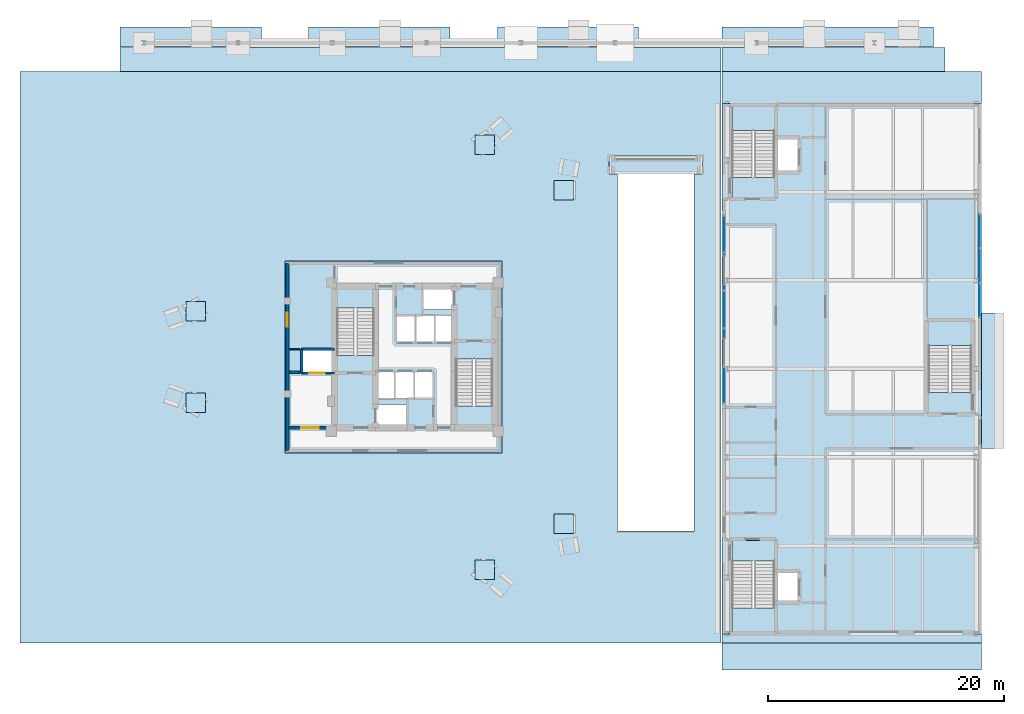
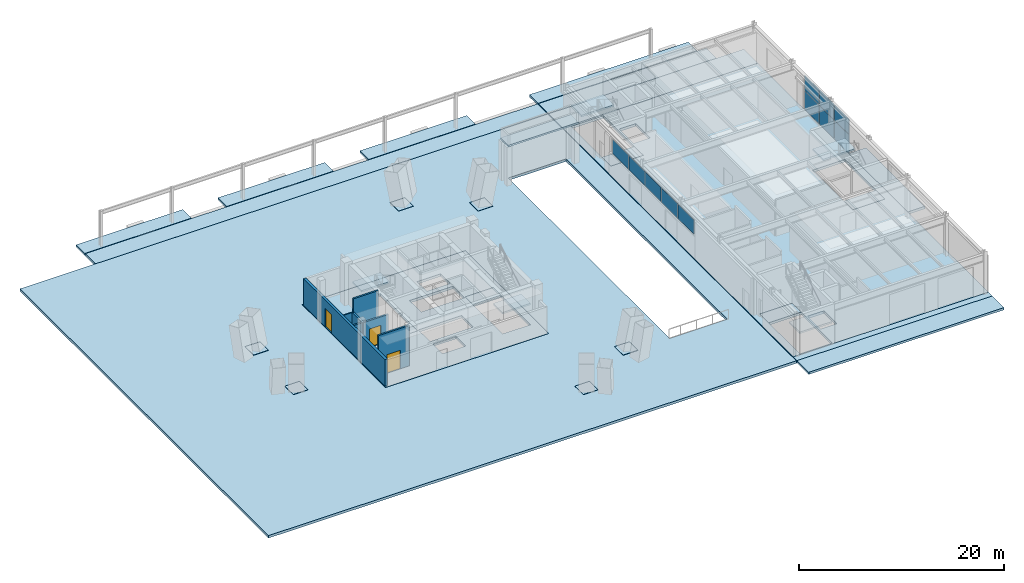
# One storey, part 12 of 21: 24 slabs, 17 plates, 7 walls, 3 doors, 3 openings, 7 elements without a shape of their own.
"""IFC4 building model written with IfcOpenShell, lengths in metres."""

from ifc_helpers import new_model, si_unit, direction, frame, frame_2d, origin, origin_2d, place, context, subcontext, project, spatial, polyline, rectangle, outline, extrude, material, layer, layer_set, type_object, element, fill, aggregate, save


model = new_model("IFC4")

# Units and contexts
model_context = context("Model", 3, precision=1e-05, world=origin(), true_north=direction((0.0, 1.0)))
body_context = subcontext(model_context, "Body", "Model", "MODEL_VIEW")
ifc_project = project(units=[si_unit("LENGTHUNIT", "METRE"), si_unit("AREAUNIT", "SQUARE_METRE"), si_unit("VOLUMEUNIT", "CUBIC_METRE"), si_unit("PLANEANGLEUNIT", "RADIAN"), si_unit("MASSUNIT", "GRAM", prefix="KILO")], contexts=[model_context])

# Site, building, storey
site_placement = place(None, origin())
site = spatial("IfcSite", under=ifc_project, at=site_placement, CompositionType="ELEMENT")
building_placement = place(site_placement, origin())
building = spatial("IfcBuilding", under=site, at=building_placement, Name="Mersakhor Tower and Convention Hall", CompositionType="ELEMENT")
storey_placement = place(building_placement, origin())
storey = spatial("IfcBuildingStorey", under=building, at=storey_placement, Name="L00", CompositionType="ELEMENT", Elevation=0.0)

# Curtain wall, plates
ifc_material_1 = material(Name="Dark solar low-E aluminium curtain wall", Category="aluminium")
ifc_layer_1 = layer(ifc_material_1, 0.219970703125)
ifc_layer_set_1 = layer_set([ifc_layer_1], Name="Dark solar low-E aluminium curtain wall")
curtain_wall_type = type_object("IfcCurtainWallType", Name="CW-SYS-07", PredefinedType="USERDEFINED", material=ifc_layer_set_1)
curtain_wall_1_placement = place(storey_placement, origin())
curtain_wall_1 = element("IfcCurtainWall", 1, at=curtain_wall_1_placement, inside=storey, type_object=curtain_wall_type, Name="Convention L00 West Curtain Wall", ObjectType="CURTAIN WALL", PredefinedType="USERDEFINED")
ifc_material_2 = material(Name="Dark solar double glazing", Category="glass")
ifc_layer_2 = layer(ifc_material_2, 0.0439453125)
ifc_layer_set_2 = layer_set([ifc_layer_2], Name="Dark solar double glazing")
plate_type_1 = type_object("IfcPlateType", Name="CWP-GLZ-44", PredefinedType="CURTAIN_PANEL", material=ifc_layer_set_2)
plate_1_placement = place(storey_placement, frame((55.22509765625, 24.419921875, 2.66015625), z_axis=(0.0, 0.0, 1.0), x_axis=(0.0, 1.0, 0.0)))
plate_1 = element("IfcPlate", 2, at=plate_1_placement, type_object=plate_type_1, Name="CW-07 panel 1.1", PredefinedType="CURTAIN_PANEL", context=body_context, shape_type="SweptSolid", body=[
    extrude(rectangle(XDim=3.080078125, YDim=0.0439453125, at=origin_2d()), origin(), (0.0, 0.0, 1.0), 1.679931640625),
])
plate_2_placement = place(storey_placement, frame((55.22509765625, 27.60009765625, 2.66015625), z_axis=(0.0, 0.0, 1.0), x_axis=(0.0, 1.0, 0.0)))
plate_2 = element("IfcPlate", 3, at=plate_2_placement, type_object=plate_type_1, Name="CW-07 panel 2.1", PredefinedType="CURTAIN_PANEL", context=body_context, shape_type="SweptSolid", body=[
    extrude(rectangle(XDim=3.1201171875, YDim=0.0439453125, at=origin_2d()), origin(), (0.0, 0.0, 1.0), 1.679931640625),
])
plate_3_placement = place(storey_placement, frame((55.22509765625, 30.800048828125, 2.66015625), z_axis=(0.0, 0.0, 1.0), x_axis=(0.0, 1.0, 0.0)))
plate_3 = element("IfcPlate", 4, at=plate_3_placement, type_object=plate_type_1, Name="CW-07 panel 3.1", PredefinedType="CURTAIN_PANEL", context=body_context, shape_type="SweptSolid", body=[
    extrude(rectangle(XDim=3.1201171875, YDim=0.0439453125, at=origin_2d()), origin(), (0.0, 0.0, 1.0), 1.679931640625),
])
plate_4_placement = place(storey_placement, frame((55.22509765625, 34.0, 2.66015625), z_axis=(0.0, 0.0, 1.0), x_axis=(0.0, 1.0, 0.0)))
plate_4 = element("IfcPlate", 5, at=plate_4_placement, type_object=plate_type_1, Name="CW-07 panel 4.1", PredefinedType="CURTAIN_PANEL", context=body_context, shape_type="SweptSolid", body=[
    extrude(rectangle(XDim=3.1201171875, YDim=0.0439453125, at=origin_2d()), origin(), (0.0, 0.0, 1.0), 1.679931640625),
])
plate_5_placement = place(storey_placement, frame((55.22509765625, 37.179931640625, 2.66015625), z_axis=(0.0, 0.0, 1.0), x_axis=(0.0, 1.0, 0.0)))
plate_5 = element("IfcPlate", 6, at=plate_5_placement, type_object=plate_type_1, Name="CW-07 panel 5.1", PredefinedType="CURTAIN_PANEL", context=body_context, shape_type="SweptSolid", body=[
    extrude(rectangle(XDim=3.080078125, YDim=0.0439453125, at=origin_2d()), origin(), (0.0, 0.0, 1.0), 1.679931640625),
])
aggregate(curtain_wall_1, [plate_1, plate_2, plate_3, plate_4, plate_5])

curtain_wall_2_placement = place(storey_placement, origin())
curtain_wall_2 = element("IfcCurtainWall", 7, at=curtain_wall_2_placement, inside=storey, type_object=curtain_wall_type, Name="Convention L00 East Curtain Wall", ObjectType="CURTAIN WALL", PredefinedType="USERDEFINED")
plate_6_placement = place(storey_placement, frame((76.925048828125, 37.413330078125, 0.260009765625), z_axis=(0.0, 0.0, 1.0), x_axis=(0.0, -1.0, 0.0)))
plate_6 = element("IfcPlate", 8, at=plate_6_placement, type_object=plate_type_1, Name="CW-07 panel 1.1", PredefinedType="CURTAIN_PANEL", context=body_context, shape_type="SweptSolid", body=[
    extrude(rectangle(XDim=2.813232421875, YDim=0.0439453125, at=origin_2d()), origin(), (0.0, 0.0, 1.0), 2.2099609375),
])
plate_7_placement = place(storey_placement, frame((76.925048828125, 37.413330078125, 2.530029296875), z_axis=(0.0, 0.0, 1.0), x_axis=(0.0, -1.0, 0.0)))
plate_7 = element("IfcPlate", 9, at=plate_7_placement, type_object=plate_type_1, Name="CW-07 panel 1.2", PredefinedType="CURTAIN_PANEL", context=body_context, shape_type="SweptSolid", body=[
    extrude(rectangle(XDim=2.813232421875, YDim=0.0439453125, at=origin_2d()), origin(), (0.0, 0.0, 1.0), 1.81005859375),
])
plate_8_placement = place(storey_placement, frame((76.925048828125, 34.5, 0.260009765625), z_axis=(0.0, 0.0, 1.0), x_axis=(0.0, -1.0, 0.0)))
plate_8 = element("IfcPlate", 10, at=plate_8_placement, type_object=plate_type_1, Name="CW-07 panel 2.1", PredefinedType="CURTAIN_PANEL", context=body_context, shape_type="SweptSolid", body=[
    extrude(rectangle(XDim=2.853271484375, YDim=0.0439453125, at=origin_2d()), origin(), (0.0, 0.0, 1.0), 2.2099609375),
])
plate_9_placement = place(storey_placement, frame((76.925048828125, 34.5, 2.530029296875), z_axis=(0.0, 0.0, 1.0), x_axis=(0.0, -1.0, 0.0)))
plate_9 = element("IfcPlate", 11, at=plate_9_placement, type_object=plate_type_1, Name="CW-07 panel 2.2", PredefinedType="CURTAIN_PANEL", context=body_context, shape_type="SweptSolid", body=[
    extrude(rectangle(XDim=2.853271484375, YDim=0.0439453125, at=origin_2d()), origin(), (0.0, 0.0, 1.0), 1.81005859375),
])
plate_10_placement = place(storey_placement, frame((76.925048828125, 31.586669921875, 0.260009765625), z_axis=(0.0, 0.0, 1.0), x_axis=(0.0, -1.0, 0.0)))
plate_10 = element("IfcPlate", 12, at=plate_10_placement, type_object=plate_type_1, Name="CW-07 panel 3.1", PredefinedType="CURTAIN_PANEL", context=body_context, shape_type="SweptSolid", body=[
    extrude(rectangle(XDim=2.813232421875, YDim=0.0439453125, at=origin_2d()), origin(), (0.0, 0.0, 1.0), 2.2099609375),
])
plate_11_placement = place(storey_placement, frame((76.925048828125, 31.586669921875, 2.530029296875), z_axis=(0.0, 0.0, 1.0), x_axis=(0.0, -1.0, 0.0)))
plate_11 = element("IfcPlate", 13, at=plate_11_placement, type_object=plate_type_1, Name="CW-07 panel 3.2", PredefinedType="CURTAIN_PANEL", context=body_context, shape_type="SweptSolid", body=[
    extrude(rectangle(XDim=2.813232421875, YDim=0.0439453125, at=origin_2d()), origin(), (0.0, 0.0, 1.0), 1.81005859375),
])
aggregate(curtain_wall_2, [plate_6, plate_7, plate_8, plate_9, plate_10, plate_11])

# Plates
ifc_material_3 = material(Name="Steel S355", Category="steel")
ifc_layer_3 = layer(ifc_material_3, 0.031982421875)
ifc_layer_set_3 = layer_set([ifc_layer_3], Name="Steel S355")
plate_type_2 = type_object("IfcPlateType", Name="PL-CAP-32", PredefinedType="SHEET", material=ifc_layer_set_3)
for number, where, z_axis, x_axis, name in (
    (14, (10.416748046875, 30.6279296875, 0.0), (0.0, 0.0, 1.0), (1.0, 0.0, 0.0), "Pedestal Top Cap Plate PCAP-PIL-F1-1"),
    (15, (34.933349609375, 44.78271484375, 0.0), (0.0, 0.0, 1.0), (1.0, 0.0, 0.0), "Pedestal Top Cap Plate PCAP-PIL-F1-2"),
    (16, (41.64990234375, 40.904541015625, 0.0), (0.0, 0.0, 1.0), (1.0, 0.0, 0.0), "Pedestal Top Cap Plate PCAP-PIL-F2-1"),
    (17, (41.64990234375, 12.595458984375, 0.0), (0.0, 0.0, 1.0), (1.0, 0.0, 0.0), "Pedestal Top Cap Plate PCAP-PIL-F2-2"),
    (18, (34.933349609375, 8.71728515625, 0.0), (0.0, 0.0, 1.0), (1.0, 0.0, 0.0), "Pedestal Top Cap Plate PCAP-PIL-F3-1"),
    (19, (10.416748046875, 22.8720703125, 0.0), (0.0, 0.0, 1.0), (1.0, 0.0, 0.0), "Pedestal Top Cap Plate PCAP-PIL-F3-2"),
):
    element("IfcPlate", number, at=place(storey_placement, frame(where, z_axis=z_axis, x_axis=x_axis)), inside=storey, type_object=plate_type_2, Name=name, PredefinedType="SHEET", context=body_context, shape_type="SweptSolid", body=[
        extrude(rectangle(XDim=1.659912109375, YDim=1.659912109375, at=origin_2d()), origin(), (0.0, 0.0, 1.0), 0.031982421875),
    ])

# Slabs
ifc_material_4 = material(Name="Concrete C45/55", Category="concrete")
ifc_layer_4 = layer(ifc_material_4, 0.300048828125)
ifc_layer_set_4 = layer_set([ifc_layer_4], Name="Concrete C45/55")
slab_type_1 = type_object("IfcSlabType", Name="SL-FLR-300", PredefinedType="FLOOR", material=ifc_layer_set_4)
slab_1_placement = place(storey_placement, frame((0.0, 0.0, -0.300048828125)))
element("IfcSlab", 20, at=slab_1_placement, inside=storey, type_object=slab_type_1, Name="L00 ST-1 Structural Stair Floor Landing", PredefinedType="LANDING", context=body_context, shape_type="SweptSolid", body=[
    extrude(outline(polyline([(25.550048828125, 25.39990234375), (25.550048828125, 26.89990234375), (22.39990234375, 26.89990234375), (22.39990234375, 25.39990234375), (25.550048828125, 25.39990234375)])), origin(), (0.0, 0.0, 1.0), 0.300048828125),
])
slab_2_placement = place(storey_placement, frame((0.0, 0.0, -0.300048828125)))
element("IfcSlab", 21, at=slab_2_placement, inside=storey, type_object=slab_type_1, Name="L00 ST-2 Structural Stair Floor Landing", PredefinedType="LANDING", context=body_context, shape_type="SweptSolid", body=[
    extrude(outline(polyline([(32.449951171875, 28.10009765625), (32.449951171875, 26.60009765625), (35.60009765625, 26.60009765625), (35.60009765625, 28.10009765625), (32.449951171875, 28.10009765625)])), origin(), (0.0, 0.0, 1.0), 0.300048828125),
])
slab_3_placement = place(storey_placement, frame((0.0, 0.0, -0.300048828125)))
element("IfcSlab", 22, at=slab_3_placement, inside=storey, type_object=slab_type_1, Name="Ground Level Tower Core and Lobby Structural Slab", PredefinedType="FLOOR", context=body_context, shape_type="SweptSolid", body=[
    extrude(outline(polyline([(18.0, 18.60009765625), (18.0, 34.89990234375), (36.39990234375, 34.89990234375), (36.39990234375, 18.60009765625), (18.0, 18.60009765625)]), holes=[polyline([(25.550048828125, 25.39990234375), (25.550048828125, 32.699951171875), (22.39990234375, 32.699951171875), (22.39990234375, 25.39990234375), (25.550048828125, 25.39990234375)]), polyline([(32.449951171875, 28.10009765625), (32.449951171875, 20.800048828125), (35.60009765625, 20.800048828125), (35.60009765625, 28.10009765625), (32.449951171875, 28.10009765625)]), polyline([(25.679931640625, 20.820068359375), (25.679931640625, 22.719970703125), (28.320068359375, 22.719970703125), (28.320068359375, 20.820068359375), (25.679931640625, 20.820068359375)]), polyline([(29.679931640625, 30.780029296875), (29.679931640625, 32.679931640625), (32.320068359375, 32.679931640625), (32.320068359375, 30.780029296875), (29.679931640625, 30.780029296875)]), polyline([(25.679931640625, 23.25), (25.679931640625, 25.5), (30.570068359375, 25.5), (30.570068359375, 23.25), (25.679931640625, 23.25)]), polyline([(27.429931640625, 28.0), (27.429931640625, 30.25), (32.320068359375, 30.25), (32.320068359375, 28.0), (27.429931640625, 28.0)]), polyline([(19.449951171875, 25.449951171875), (19.449951171875, 27.35009765625), (22.050048828125, 27.35009765625), (22.050048828125, 25.449951171875), (19.449951171875, 25.449951171875)])]), origin(), (0.0, 0.0, 1.0), 0.300048828125),
])
slab_4_placement = place(storey_placement, frame((0.0, 0.0, -0.300048828125)))
element("IfcSlab", 23, at=slab_4_placement, inside=storey, type_object=slab_type_1, Name="Public Neighbourhood Plaza and Oasis Garden Deck", PredefinedType="FLOOR", context=body_context, shape_type="SweptSolid", body=[
    extrude(outline(polyline([(-4.5, 2.5), (-4.5, 51.0), (55.0, 51.0), (55.0, 2.5), (-4.5, 2.5)]), holes=[polyline([(18.0, 18.60009765625), (18.0, 34.89990234375), (36.39990234375, 34.89990234375), (36.39990234375, 18.60009765625), (18.0, 18.60009765625)]), polyline([(46.199951171875, 12.0), (46.199951171875, 43.5), (52.699951171875, 43.5), (52.699951171875, 12.0), (46.199951171875, 12.0)])]), origin(), (0.0, 0.0, 1.0), 0.300048828125),
])
slab_5_placement = place(storey_placement, frame((0.0, 0.0, -0.300048828125)))
element("IfcSlab", 24, at=slab_5_placement, inside=storey, type_object=slab_type_1, Name="Convention Hall North Grade Structural Apron Slab", PredefinedType="FLOOR", context=body_context, shape_type="SweptSolid", body=[
    extrude(outline(polyline([(55.074951171875, 48.25), (55.074951171875, 51.0), (77.074951171875, 51.0), (77.074951171875, 48.25), (55.074951171875, 48.25)])), origin(), (0.0, 0.0, 1.0), 0.300048828125),
])
slab_6_placement = place(storey_placement, frame((0.0, 0.0, -0.300048828125)))
element("IfcSlab", 25, at=slab_6_placement, inside=storey, type_object=slab_type_1, Name="Convention Hall South Grade Structural Apron Slab", PredefinedType="FLOOR", context=body_context, shape_type="SweptSolid", body=[
    extrude(outline(polyline([(55.074951171875, 2.5), (55.074951171875, 3.25), (77.074951171875, 3.25), (77.074951171875, 2.5), (55.074951171875, 2.5)])), origin(), (0.0, 0.0, 1.0), 0.300048828125),
])
slab_7_placement = place(storey_placement, frame((0.0, 0.0, -0.300048828125)))
element("IfcSlab", 26, at=slab_7_placement, inside=storey, type_object=slab_type_1, Name="Convention Hall East Stair Exit Structural Apron Slab", PredefinedType="FLOOR", context=body_context, shape_type="SweptSolid", body=[
    extrude(outline(polyline([(77.074951171875, 19.0), (77.074951171875, 30.5), (79.0, 30.5), (79.0, 19.0), (77.074951171875, 19.0)])), origin(), (0.0, 0.0, 1.0), 0.300048828125),
])
slab_8_placement = place(storey_placement, frame((0.0, 0.0, -0.300048828125)))
element("IfcSlab", 27, at=slab_8_placement, inside=storey, type_object=slab_type_1, Name="L00 CH-ST1 Structural Stair Floor Landing", PredefinedType="LANDING", context=body_context, shape_type="SweptSolid", body=[
    extrude(outline(polyline([(55.89990234375, 11.199951171875), (55.89990234375, 9.449951171875), (59.550048828125, 9.449951171875), (59.550048828125, 11.199951171875), (55.89990234375, 11.199951171875)])), origin(), (0.0, 0.0, 1.0), 0.300048828125),
])
slab_9_placement = place(storey_placement, frame((0.0, 0.0, -0.300048828125)))
element("IfcSlab", 28, at=slab_9_placement, inside=storey, type_object=slab_type_1, Name="L00 CH-ST2 Structural Stair Floor Landing", PredefinedType="LANDING", context=body_context, shape_type="SweptSolid", body=[
    extrude(outline(polyline([(59.550048828125, 40.25), (59.550048828125, 42.0), (55.89990234375, 42.0), (55.89990234375, 40.25), (59.550048828125, 40.25)])), origin(), (0.0, 0.0, 1.0), 0.300048828125),
])
slab_10_placement = place(storey_placement, frame((0.0, 0.0, -0.300048828125)))
element("IfcSlab", 29, at=slab_10_placement, inside=storey, type_object=slab_type_1, Name="L00 CH-ST3 Structural Stair Floor Landing", PredefinedType="LANDING", context=body_context, shape_type="SweptSolid", body=[
    extrude(outline(polyline([(76.25, 22.0), (76.25, 23.75), (72.60009765625, 23.75), (72.60009765625, 22.0), (76.25, 22.0)])), origin(), (0.0, 0.0, 1.0), 0.300048828125),
])
slab_11_placement = place(storey_placement, frame((0.0, 0.0, -0.300048828125)))
element("IfcSlab", 30, at=slab_11_placement, inside=storey, type_object=slab_type_1, Name="Convention Hall L00 Composite Floor Slab", PredefinedType="FLOOR", context=body_context, shape_type="SweptSolid", body=[
    extrude(outline(polyline([(55.074951171875, 3.25), (55.074951171875, 48.25), (77.074951171875, 48.25), (77.074951171875, 3.25), (55.074951171875, 3.25)]), holes=[polyline([(55.89990234375, 11.199951171875), (55.89990234375, 3.39990234375), (59.550048828125, 3.39990234375), (59.550048828125, 11.199951171875), (55.89990234375, 11.199951171875)]), polyline([(59.550048828125, 40.25), (59.550048828125, 48.050048828125), (55.89990234375, 48.050048828125), (55.89990234375, 40.25), (59.550048828125, 40.25)]), polyline([(76.25, 22.0), (76.25, 29.800048828125), (72.60009765625, 29.800048828125), (72.60009765625, 22.0), (76.25, 22.0)]), polyline([(59.75, 6.0), (59.75, 8.5), (61.60009765625, 8.5), (61.60009765625, 6.0), (59.75, 6.0)]), polyline([(59.75, 42.5), (59.75, 45.300048828125), (61.60009765625, 45.300048828125), (61.60009765625, 42.5), (59.75, 42.5)])]), origin(), (0.0, 0.0, 1.0), 0.300048828125),
])

# Stair, slab
ifc_material_5 = material(Name="Concrete C45/55", Category="concrete")
stair_type_1 = type_object("IfcStairType", Name="ST-TWR-30R", PredefinedType="HALF_TURN_STAIR", material=ifc_material_5)
stair_1_placement = place(storey_placement, origin())
stair_1 = element("IfcStair", 31, at=stair_1_placement, inside=storey, type_object=stair_type_1, Name="L00 Tower Protected Exit Stair ST-1", PredefinedType="HALF_TURN_STAIR")
ifc_material_6 = material(Name="Concrete C45/55", Category="concrete")
ifc_layer_5 = layer(ifc_material_6, 0.199951171875)
ifc_layer_set_5 = layer_set([ifc_layer_5], Name="Concrete C45/55")
slab_type_2 = type_object("IfcSlabType", Name="SL-LAND-200", PredefinedType="LANDING", material=ifc_layer_set_5)
slab_12_placement = place(storey_placement, frame((0.0, 0.0, 2.35009765625)))
slab_12 = element("IfcSlab", 32, at=slab_12_placement, type_object=slab_type_2, Name="ST-1 landing 1", PredefinedType="LANDING", context=body_context, shape_type="SweptSolid", body=[
    extrude(outline(polyline([(25.550048828125, 30.889892578125), (25.550048828125, 32.699951171875), (22.39990234375, 32.699951171875), (22.39990234375, 30.889892578125), (25.550048828125, 30.889892578125)])), origin(), (0.0, 0.0, 1.0), 0.199951171875),
])
aggregate(stair_1, [slab_12])

stair_2_placement = place(storey_placement, origin())
stair_2 = element("IfcStair", 33, at=stair_2_placement, inside=storey, type_object=stair_type_1, Name="L00 Tower Protected Exit Stair ST-2", PredefinedType="HALF_TURN_STAIR")
slab_13_placement = place(storey_placement, frame((0.0, 0.0, 2.35009765625)))
slab_13 = element("IfcSlab", 34, at=slab_13_placement, type_object=slab_type_2, Name="ST-2 landing 1", PredefinedType="LANDING", context=body_context, shape_type="SweptSolid", body=[
    extrude(outline(polyline([(32.449951171875, 22.610107421875), (32.449951171875, 20.800048828125), (35.60009765625, 20.800048828125), (35.60009765625, 22.610107421875), (32.449951171875, 22.610107421875)])), origin(), (0.0, 0.0, 1.0), 0.199951171875),
])
aggregate(stair_2, [slab_13])

ifc_material_7 = material(Name="Concrete C45/55", Category="concrete")
stair_type_2 = type_object("IfcStairType", Name="ST-CNV-30R", PredefinedType="HALF_TURN_STAIR", material=ifc_material_7)
stair_3_placement = place(storey_placement, origin())
stair_3 = element("IfcStair", 35, at=stair_3_placement, inside=storey, type_object=stair_type_2, Name="L00 Convention Hall Exit Stair CH-ST1", PredefinedType="HALF_TURN_STAIR")
slab_14_placement = place(storey_placement, frame((0.0, 0.0, 2.35009765625)))
slab_14 = element("IfcSlab", 36, at=slab_14_placement, type_object=slab_type_2, Name="CH-ST1 landing 1", PredefinedType="LANDING", context=body_context, shape_type="SweptSolid", body=[
    extrude(outline(polyline([(55.89990234375, 5.4599609375), (55.89990234375, 3.39990234375), (59.550048828125, 3.39990234375), (59.550048828125, 5.4599609375), (55.89990234375, 5.4599609375)])), origin(), (0.0, 0.0, 1.0), 0.199951171875),
])
aggregate(stair_3, [slab_14])

stair_4_placement = place(storey_placement, origin())
stair_4 = element("IfcStair", 37, at=stair_4_placement, inside=storey, type_object=stair_type_2, Name="L00 Convention Hall Exit Stair CH-ST2", PredefinedType="HALF_TURN_STAIR")
slab_15_placement = place(storey_placement, frame((0.0, 0.0, 2.35009765625)))
slab_15 = element("IfcSlab", 38, at=slab_15_placement, type_object=slab_type_2, Name="CH-ST2 landing 1", PredefinedType="LANDING", context=body_context, shape_type="SweptSolid", body=[
    extrude(outline(polyline([(59.550048828125, 45.989990234375), (59.550048828125, 48.050048828125), (55.89990234375, 48.050048828125), (55.89990234375, 45.989990234375), (59.550048828125, 45.989990234375)])), origin(), (0.0, 0.0, 1.0), 0.199951171875),
])
aggregate(stair_4, [slab_15])

stair_5_placement = place(storey_placement, origin())
stair_5 = element("IfcStair", 39, at=stair_5_placement, inside=storey, type_object=stair_type_2, Name="L00 Convention Hall Exit Stair CH-ST3", PredefinedType="HALF_TURN_STAIR")
slab_16_placement = place(storey_placement, frame((0.0, 0.0, 2.35009765625)))
slab_16 = element("IfcSlab", 40, at=slab_16_placement, type_object=slab_type_2, Name="CH-ST3 landing 1", PredefinedType="LANDING", context=body_context, shape_type="SweptSolid", body=[
    extrude(outline(polyline([(76.25, 27.739990234375), (76.25, 29.800048828125), (72.60009765625, 29.800048828125), (72.60009765625, 27.739990234375), (76.25, 27.739990234375)])), origin(), (0.0, 0.0, 1.0), 0.199951171875),
])
aggregate(stair_5, [slab_16])

# Slabs
ifc_material_8 = material(Name="Precast concrete C40/50", Category="concrete")
ifc_layer_6 = layer(ifc_material_8, 0.260009765625)
ifc_layer_set_6 = layer_set([ifc_layer_6], Name="Precast concrete C40/50")
slab_type_3 = type_object("IfcSlabType", Name="SL-PAV-260", PredefinedType="USERDEFINED", material=ifc_layer_set_6)
slab_17_placement = place(storey_placement, frame((0.0, 0.0, -0.260009765625)))
element("IfcSlab", 41, at=slab_17_placement, inside=storey, type_object=slab_type_3, Name="Public Plaza and Oasis Garden Slab PV-FORECOURT-W", ObjectType="PAVING", PredefinedType="USERDEFINED", context=body_context, shape_type="SweptSolid", body=[
    extrude(outline(polyline([(4.0, 51.0), (4.0, 53.0), (55.0, 53.0), (55.0, 51.0), (4.0, 51.0)])), origin(), (0.0, 0.0, 1.0), 0.260009765625),
])
slab_18_placement = place(storey_placement, frame((0.0, 0.0, -0.260009765625)))
element("IfcSlab", 42, at=slab_18_placement, inside=storey, type_object=slab_type_3, Name="Public Plaza and Oasis Garden Slab PV-FORECOURT-E", ObjectType="PAVING", PredefinedType="USERDEFINED", context=body_context, shape_type="SweptSolid", body=[
    extrude(outline(polyline([(55.074951171875, 51.0), (55.074951171875, 53.0), (74.0, 53.0), (74.0, 51.0), (55.074951171875, 51.0)])), origin(), (0.0, 0.0, 1.0), 0.260009765625),
])
slab_19_placement = place(storey_placement, frame((0.0, 0.0, -0.260009765625)))
element("IfcSlab", 43, at=slab_19_placement, inside=storey, type_object=slab_type_3, Name="Public Plaza and Oasis Garden Slab PV-CNV-LOAD", ObjectType="PAVING", PredefinedType="USERDEFINED", context=body_context, shape_type="SweptSolid", body=[
    extrude(outline(polyline([(55.074951171875, 0.199951171875), (55.074951171875, 2.5), (77.074951171875, 2.5), (77.074951171875, 0.199951171875), (55.074951171875, 0.199951171875)])), origin(), (0.0, 0.0, 1.0), 0.260009765625),
])
slab_20_placement = place(storey_placement, frame((0.0, 0.0, -0.260009765625)))
element("IfcSlab", 44, at=slab_20_placement, inside=storey, type_object=slab_type_3, Name="Public Plaza and Oasis Garden Slab PV-PROM-N1", ObjectType="PAVING", PredefinedType="USERDEFINED", context=body_context, shape_type="SweptSolid", body=[
    extrude(outline(polyline([(4.0, 53.050048828125), (4.0, 54.75), (16.0, 54.75), (16.0, 53.050048828125), (4.0, 53.050048828125)])), origin(), (0.0, 0.0, 1.0), 0.260009765625),
])
slab_21_placement = place(storey_placement, frame((0.0, 0.0, -0.260009765625)))
element("IfcSlab", 45, at=slab_21_placement, inside=storey, type_object=slab_type_3, Name="Public Plaza and Oasis Garden Slab PV-PROM-N2", ObjectType="PAVING", PredefinedType="USERDEFINED", context=body_context, shape_type="SweptSolid", body=[
    extrude(outline(polyline([(20.0, 53.050048828125), (20.0, 54.75), (32.0, 54.75), (32.0, 53.050048828125), (20.0, 53.050048828125)])), origin(), (0.0, 0.0, 1.0), 0.260009765625),
])
slab_22_placement = place(storey_placement, frame((0.0, 0.0, -0.260009765625)))
element("IfcSlab", 46, at=slab_22_placement, inside=storey, type_object=slab_type_3, Name="Public Plaza and Oasis Garden Slab PV-PROM-N3", ObjectType="PAVING", PredefinedType="USERDEFINED", context=body_context, shape_type="SweptSolid", body=[
    extrude(outline(polyline([(36.0, 53.050048828125), (36.0, 54.75), (48.0, 54.75), (48.0, 53.050048828125), (36.0, 53.050048828125)])), origin(), (0.0, 0.0, 1.0), 0.260009765625),
])
slab_23_placement = place(storey_placement, frame((0.0, 0.0, -0.260009765625)))
element("IfcSlab", 47, at=slab_23_placement, inside=storey, type_object=slab_type_3, Name="Public Plaza and Oasis Garden Slab PV-PROM-N4", ObjectType="PAVING", PredefinedType="USERDEFINED", context=body_context, shape_type="SweptSolid", body=[
    extrude(outline(polyline([(55.074951171875, 53.050048828125), (55.074951171875, 54.75), (73.0, 54.75), (73.0, 53.050048828125), (55.074951171875, 53.050048828125)])), origin(), (0.0, 0.0, 1.0), 0.260009765625),
])
ifc_material_9 = material(Name="Concrete C45/55", Category="concrete")
ifc_layer_7 = layer(ifc_material_9, 0.2099609375)
ifc_layer_set_7 = layer_set([ifc_layer_7], Name="Concrete C45/55")
slab_type_4 = type_object("IfcSlabType", Name="SL-ROOF-210", PredefinedType="ROOF", material=ifc_layer_set_7)
slab_24_placement = place(storey_placement, frame((0.0, 0.0, 4.64990234375)))
element("IfcSlab", 48, at=slab_24_placement, inside=storey, type_object=slab_type_4, Name="Vehicle Ramp Portal Canopy Slab", PredefinedType="ROOF", context=body_context, shape_type="SweptSolid", body=[
    extrude(outline(polyline([(45.5, 42.300048828125), (45.5, 43.800048828125), (53.39990234375, 43.800048828125), (53.39990234375, 42.300048828125), (45.5, 42.300048828125)])), origin(), (0.0, 0.0, 1.0), 0.210205078125),
])

# Wall, opening, door
ifc_material_10 = material(Name="Precast concrete C45/55", Category="concrete")
ifc_layer_8 = layer(ifc_material_10, 0.27490234375)
ifc_layer_set_8 = layer_set([ifc_layer_8], Name="Precast concrete C45/55")
wall_type_1 = type_object("IfcWallType", Name="WL-EXT-275", PredefinedType="SOLIDWALL", material=ifc_layer_set_8)
wall_1_placement = place(storey_placement, frame((18.199951171875, 18.800048828125, 0.0), z_axis=(0.0, 0.0, 1.0), x_axis=(0.0, 1.0, 0.0)))
wall_1 = element("IfcWall", 49, at=wall_1_placement, inside=storey, type_object=wall_type_1, Name="Tower Ground Lobby Exterior Wall W", PredefinedType="SOLIDWALL", context=body_context, shape_type="SweptSolid", body=[
    extrude(rectangle(XDim=15.89990234375, YDim=0.27490234375, at=frame_2d((7.949951171875, 0.0))), origin(), (0.0, 0.0, 1.0), 3.18505859375),
])
opening_1_placement = place(wall_1_placement, frame((10.5, 0.0, 0.0)))
opening_1 = element("IfcOpeningElement", 50, at=opening_1_placement, cuts=wall_1, Name="Opening EX-01", PredefinedType="OPENING", context=body_context, shape_type="SweptSolid", body=[
    extrude(rectangle(XDim=1.199951171875, YDim=2.199951171875, at=frame_2d((0.60009765625, 1.10009765625))), frame((0.0, 0.1474609375, 0.0), z_axis=(0.0, -1.0, 0.0), x_axis=(1.0, 0.0, 0.0)), (0.0, 0.0, 1.0), 0.294921875),
])
ifc_material_11 = material(Name="Thermally broken dark aluminium and safety glass", Category="aluminium")
door_type_1 = type_object("IfcDoorType", Name="DR-EXT-EXIT-120x220", OperationType="NOTDEFINED", PredefinedType="DOOR", material=ifc_material_11)
door_1_placement = place(opening_1_placement, origin())
door_1 = element("IfcDoor", 51, at=door_1_placement, inside=storey, type_object=door_type_1, Name="Fire Command Room Direct Exterior Access Door", OperationType="SINGLE_SWING_RIGHT", OverallHeight=2.199951171875, OverallWidth=1.199951171875, PredefinedType="DOOR", context=body_context, shape_type="SweptSolid", body=[
    extrude(rectangle(XDim=1.199951171875, YDim=2.199951171875, at=frame_2d((0.60009765625, 1.10009765625))), frame((0.0, 0.02490234375, 0.0), z_axis=(0.0, -1.0, 0.0), x_axis=(1.0, 0.0, 0.0)), (0.0, 0.0, 1.0), 0.050048828125),
])
fill(opening_1, door_1)

# Walls
ifc_material_12 = material(Name="Lightweight gypsum partition", Category="other")
ifc_layer_9 = layer(ifc_material_12, 0.10009765625)
ifc_layer_set_9 = layer_set([ifc_layer_9], Name="Lightweight gypsum partition")
wall_type_2 = type_object("IfcWallType", Name="WL-PRT-100", PredefinedType="PARTITIONING", material=ifc_layer_set_9)
wall_2_placement = place(storey_placement, frame((19.25, 27.39990234375, 0.0), z_axis=(0.0, 0.0, 1.0), x_axis=(-1.0, 0.0, 0.0)))
element("IfcWall", 52, at=wall_2_placement, inside=storey, type_object=wall_type_2, Name="L00 Interior Partition Wall P-050", PredefinedType="PARTITIONING", context=body_context, shape_type="SweptSolid", body=[
    extrude(rectangle(XDim=0.888427734375, YDim=0.10009765625, at=frame_2d((0.4443359375, 0.0))), origin(), (0.0, 0.0, 1.0), 3.18505859375),
])
ifc_material_13 = material(Name="Acoustic concrete blockwork and gypsum board", Category="masonry")
ifc_layer_10 = layer(ifc_material_13, 0.199951171875)
ifc_layer_set_10 = layer_set([ifc_layer_10], Name="Acoustic concrete blockwork and gypsum board")
wall_type_3 = type_object("IfcWallType", Name="WL-PRT-200", PredefinedType="PARTITIONING", material=ifc_layer_set_10)
wall_3_placement = place(storey_placement, frame((19.39990234375, 25.39990234375, 0.0), z_axis=(0.0, 0.0, 1.0), x_axis=(0.0, 1.0, 0.0)))
element("IfcWall", 53, at=wall_3_placement, inside=storey, type_object=wall_type_3, Name="L00 Clinic Lift West Wall", PredefinedType="PARTITIONING", context=body_context, shape_type="SweptSolid", body=[
    extrude(rectangle(XDim=2.0, YDim=0.199951171875, at=frame_2d((1.0, 0.0))), origin(), (0.0, 0.0, 1.0), 3.18505859375),
])
wall_4_placement = place(storey_placement, frame((19.39990234375, 27.39990234375, 0.0), z_axis=(0.0, 0.0, 1.0), x_axis=(1.0, 0.0, 0.0)))
element("IfcWall", 54, at=wall_4_placement, inside=storey, type_object=wall_type_3, Name="L00 Clinic Lift North Wall", PredefinedType="PARTITIONING", context=body_context, shape_type="SweptSolid", body=[
    extrude(rectangle(XDim=2.800048828125, YDim=0.199951171875, at=frame_2d((1.39990234375, 0.0))), origin(), (0.0, 0.0, 1.0), 4.800048828125),
])

# Wall, opening, door
wall_5_placement = place(storey_placement, frame((22.199951171875, 25.39990234375, 0.0), z_axis=(0.0, 0.0, 1.0), x_axis=(-1.0, 0.0, 0.0)))
wall_5 = element("IfcWall", 55, at=wall_5_placement, inside=storey, type_object=wall_type_3, Name="L00 Clinic Lift Front Wall", PredefinedType="PARTITIONING", context=body_context, shape_type="SweptSolid", body=[
    extrude(rectangle(XDim=2.800048828125, YDim=0.199951171875, at=frame_2d((1.39990234375, 0.0))), origin(), (0.0, 0.0, 1.0), 3.18505859375),
])
opening_2_placement = place(wall_5_placement, frame((0.85009765625, 0.0, 0.0)))
opening_2 = element("IfcOpeningElement", 56, at=opening_2_placement, cuts=wall_5, Name="Opening LD-CL1", PredefinedType="OPENING", context=body_context, shape_type="SweptSolid", body=[
    extrude(rectangle(XDim=1.300048828125, YDim=2.199951171875, at=frame_2d((0.64990234375, 1.10009765625))), frame((0.0, 0.10986328125, 0.0), z_axis=(0.0, -1.0, 0.0), x_axis=(1.0, 0.0, 0.0)), (0.0, 0.0, 1.0), 0.219970703125),
])
ifc_material_14 = material(Name="Fire-rated brushed stainless steel sliding landing door", Category="steel")
door_type_2 = type_object("IfcDoorType", Name="DR-LIFT-SLD-130x220", OperationType="NOTDEFINED", PredefinedType="DOOR", material=ifc_material_14)
door_2_placement = place(opening_2_placement, origin())
door_2 = element("IfcDoor", 57, at=door_2_placement, inside=storey, type_object=door_type_2, Name="L00 Clinic Stretcher Lift Landing Door LD-CL1", OperationType="SLIDING_TO_LEFT", OverallHeight=2.199951171875, OverallWidth=1.300048828125, PredefinedType="DOOR", context=body_context, shape_type="SweptSolid", body=[
    extrude(rectangle(XDim=1.300048828125, YDim=2.199951171875, at=frame_2d((0.64990234375, 1.10009765625))), frame((0.0, 0.02490234375, 0.0), z_axis=(0.0, -1.0, 0.0), x_axis=(1.0, 0.0, 0.0)), (0.0, 0.0, 1.0), 0.050048828125),
])
fill(opening_2, door_2)

# Wall
wall_6_placement = place(storey_placement, frame((18.361572265625, 25.449951171875, 0.0), z_axis=(0.0, 0.0, 1.0), x_axis=(1.0, 0.0, 0.0)))
element("IfcWall", 58, at=wall_6_placement, inside=storey, type_object=wall_type_3, Name="L00 Interior Partition Wall P-039", PredefinedType="PARTITIONING", context=body_context, shape_type="SweptSolid", body=[
    extrude(rectangle(XDim=0.888427734375, YDim=0.199951171875, at=frame_2d((0.4443359375, 0.0))), origin(), (0.0, 0.0, 1.0), 3.18505859375),
])

# Wall, opening, door
wall_7_placement = place(storey_placement, frame((21.875, 20.75, 0.0), z_axis=(0.0, 0.0, 1.0), x_axis=(-1.0, 0.0, 0.0)))
wall_7 = element("IfcWall", 59, at=wall_7_placement, inside=storey, type_object=wall_type_3, Name="L00 Interior Partition Wall P-040", PredefinedType="PARTITIONING", context=body_context, shape_type="SweptSolid", body=[
    extrude(rectangle(XDim=3.513427734375, YDim=0.199951171875, at=frame_2d((1.7568359375, 0.0))), origin(), (0.0, 0.0, 1.0), 4.800048828125),
])
opening_3_placement = place(wall_7_placement, frame((1.0068359375, 0.0, 0.0)))
opening_3 = element("IfcOpeningElement", 60, at=opening_3_placement, cuts=wall_7, Name="Opening LD-LOB", PredefinedType="OPENING", context=body_context, shape_type="SweptSolid", body=[
    extrude(rectangle(XDim=1.5, YDim=2.199951171875, at=frame_2d((0.75, 1.10009765625))), frame((0.0, 0.10986328125, 0.0), z_axis=(0.0, -1.0, 0.0), x_axis=(1.0, 0.0, 0.0)), (0.0, 0.0, 1.0), 0.219970703125),
])
ifc_material_15 = material(Name="Fire-rated hardwood leaf and painted steel frame", Category="steel")
door_type_3 = type_object("IfcDoorType", Name="DR-INT-LOB-150x220", OperationType="NOTDEFINED", PredefinedType="DOOR", material=ifc_material_15)
door_3_placement = place(opening_3_placement, origin())
door_3 = element("IfcDoor", 61, at=door_3_placement, inside=storey, type_object=door_type_3, Name="L00 Clinic Lift Lobby and Resident Concierge to Tower Ground Entrance Lobby Door", OperationType="DOUBLE_DOOR_SINGLE_SWING", OverallHeight=2.199951171875, OverallWidth=1.5, PredefinedType="DOOR", context=body_context, shape_type="SweptSolid", body=[
    extrude(rectangle(XDim=1.5, YDim=2.199951171875, at=frame_2d((0.75, 1.10009765625))), frame((0.0, 0.02490234375, 0.0), z_axis=(0.0, -1.0, 0.0), x_axis=(1.0, 0.0, 0.0)), (0.0, 0.0, 1.0), 0.050048828125),
])
fill(opening_3, door_3)

save(model, "model.ifc")
